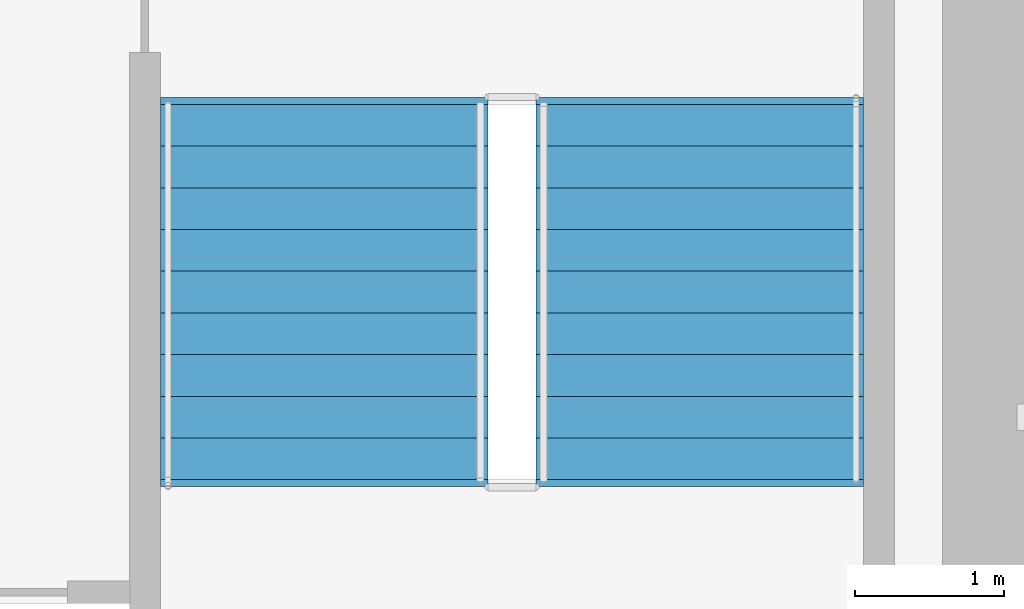
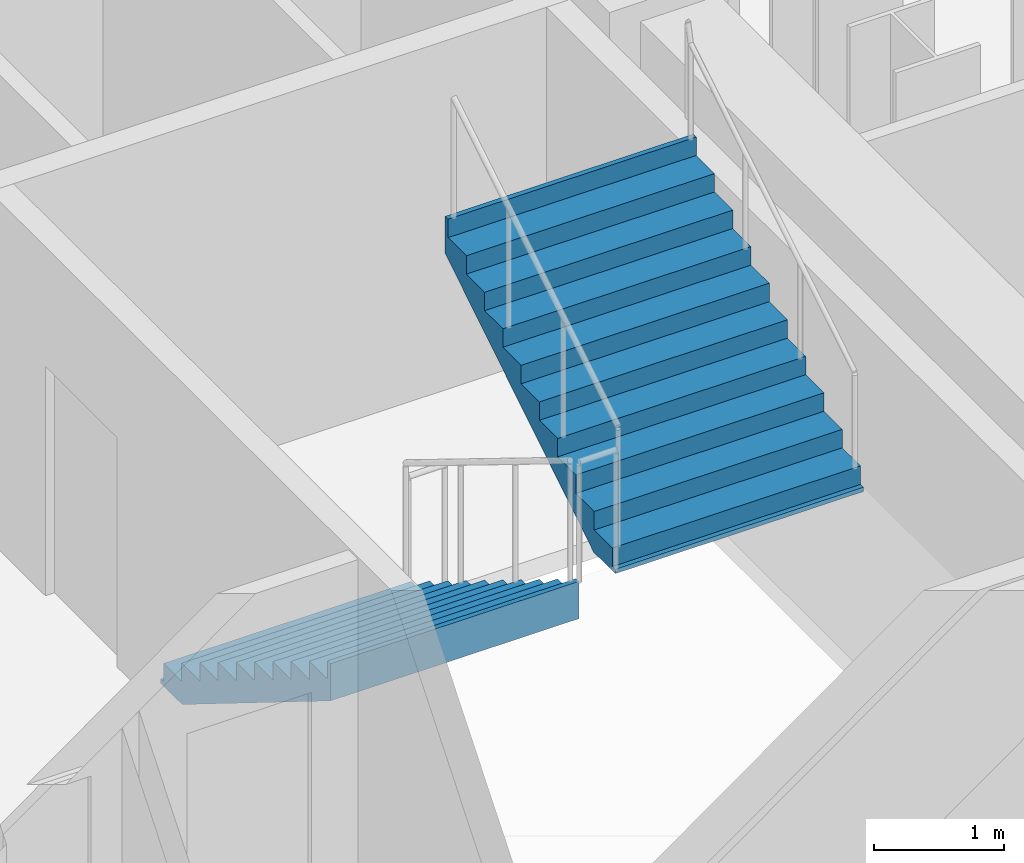
# One storey, part 9 of 11: 2 stair flights, 1 element without a shape of its own.
"""IFC4 building model written with IfcOpenShell, lengths in metres."""

from ifc_helpers import new_model, si_unit, direction, frame, origin, place, context, subcontext, project, spatial, polyline, outline, extrude, material, layer, layer_set, type_object, element, aggregate, save


model = new_model("IFC4")

# Units and contexts
model_context = context("Model", 3, precision=1e-05, world=origin(), true_north=direction((0.0, 1.0)))
body_context = subcontext(model_context, "Body", "Model", "MODEL_VIEW")
ifc_project = project(units=[si_unit("LENGTHUNIT", "METRE"), si_unit("AREAUNIT", "SQUARE_METRE"), si_unit("VOLUMEUNIT", "CUBIC_METRE"), si_unit("PLANEANGLEUNIT", "RADIAN"), si_unit("MASSUNIT", "GRAM", prefix="KILO")], contexts=[model_context])

# Site, building, storey
site_placement = place(None, origin())
site = spatial("IfcSite", under=ifc_project, at=site_placement, CompositionType="ELEMENT")
building_placement = place(site_placement, origin())
building = spatial("IfcBuilding", under=site, at=building_placement, Name="Velakula Bourse", CompositionType="ELEMENT")
storey_placement = place(building_placement, frame((0.0, 0.0, 105.25)))
storey = spatial("IfcBuildingStorey", under=building, at=storey_placement, Name="L28", CompositionType="ELEMENT", Elevation=105.25)

# Stair, stair flights
ifc_material = material(Name="Concrete M45 (fck 45 MPa)", Category="concrete")
stair_type = type_object("IfcStairType", Name="STR-DOG-390", PredefinedType="HALF_TURN_STAIR", material=ifc_material)
stair_placement = place(storey_placement, origin())
stair = element("IfcStair", 1, at=stair_placement, inside=storey, type_object=stair_type, Name="L28 East Core Exit Stair ST-E1", PredefinedType="HALF_TURN_STAIR")
ifc_layer = layer(ifc_material, 0.195068359375, Name="Concrete M45 (fck 45 MPa)", Category="concrete")
ifc_layer_set = layer_set([ifc_layer], Name="Concrete M45 (fck 45 MPa)")
stair_flight_type = type_object("IfcStairFlightType", Name="FLT-DOG-390", PredefinedType="STRAIGHT", material=ifc_layer_set)
stair_flight_1_placement = place(storey_placement, frame((14.198974609375, -2.199951171875, 0.0), z_axis=(0.0, 0.0, 1.0), x_axis=(0.0, -1.0, 0.0)))
stair_flight_1 = element("IfcStairFlight", 2, at=stair_flight_1_placement, type_object=stair_flight_type, Name="ST-E1 flight 1", NumberOfRisers=10, NumberOfTreads=9, PredefinedType="STRAIGHT", RiserHeight=0.1725, TreadLength=0.28, context=body_context, shape_type="SweptSolid", body=[
    extrude(outline(polyline([(-0.044921875, -0.0400390625), (-0.044921875, -0.036865234375), (-0.044921875, -0.033935546875), (-0.044921875, -0.03076171875), (-0.044921875, -0.027587890625), (-0.044921875, -0.024658203125), (-0.044921875, -0.021484375), (-0.044921875, -0.0185546875), (-0.044921875, -0.015380859375), (-0.044921875, -0.01220703125), (-0.044921875, -0.00927734375), (-0.044921875, -0.006103515625), (-0.044921875, -0.003173828125), (-0.044921875, 0.0), (0.0, 0.0), (0.0, 0.172607421875), (0.280029296875, 0.172607421875), (0.280029296875, 0.344970703125), (0.56005859375, 0.344970703125), (0.56005859375, 0.517578125), (0.840087890625, 0.517578125), (0.840087890625, 0.68994140625), (1.1201171875, 0.68994140625), (1.1201171875, 0.862548828125), (1.39990234375, 0.862548828125), (1.39990234375, 1.034912109375), (1.679931640625, 1.034912109375), (1.679931640625, 1.20751953125), (1.9599609375, 1.20751953125), (1.9599609375, 1.3798828125), (2.239990234375, 1.3798828125), (2.239990234375, 1.552490234375), (2.52001953125, 1.552490234375), (2.52001953125, 1.72509765625), (2.56494140625, 1.72509765625), (2.56494140625, 1.7001953125), (2.56494140625, 1.67529296875), (2.56494140625, 1.650390625), (2.56494140625, 1.62548828125), (2.56494140625, 1.6005859375), (2.56494140625, 1.57568359375), (2.56494140625, 1.55078125), (2.56494140625, 1.52587890625), (2.56494140625, 1.5009765625), (2.56494140625, 1.47607421875), (2.56494140625, 1.451171875), (2.56494140625, 1.42626953125), (2.56494140625, 1.4013671875), (2.56494140625, 1.37646484375), (0.285888671875, -0.0400390625), (-0.044921875, -0.0400390625)])), frame((0.0, 1.09912109375, 0.0), z_axis=(0.0, -1.0, 0.0), x_axis=(1.0, 0.0, 0.0)), (0.0, 0.0, 1.0), 2.197998046875),
])
stair_flight_2_placement = place(storey_placement, frame((16.720947265625, -4.719970703125, 1.72509765625), z_axis=(0.0, 0.0, 1.0), x_axis=(0.0, 1.0, 0.0)))
stair_flight_2 = element("IfcStairFlight", 3, at=stair_flight_2_placement, type_object=stair_flight_type, Name="ST-E1 flight 2", NumberOfRisers=10, NumberOfTreads=9, PredefinedType="STRAIGHT", RiserHeight=0.1725, TreadLength=0.28, context=body_context, shape_type="SweptSolid", body=[
    extrude(outline(polyline([(-0.044921875, -0.0400390625), (-0.044921875, -0.036865234375), (-0.044921875, -0.033935546875), (-0.044921875, -0.03076171875), (-0.044921875, -0.027587890625), (-0.044921875, -0.024658203125), (-0.044921875, -0.021484375), (-0.044921875, -0.0185546875), (-0.044921875, -0.015380859375), (-0.044921875, -0.01220703125), (-0.044921875, -0.00927734375), (-0.044921875, -0.006103515625), (-0.044921875, -0.003173828125), (-0.044921875, 0.0), (0.0, 0.0), (0.0, 0.172607421875), (0.280029296875, 0.172607421875), (0.280029296875, 0.344970703125), (0.56005859375, 0.344970703125), (0.56005859375, 0.517578125), (0.840087890625, 0.517578125), (0.840087890625, 0.68994140625), (1.1201171875, 0.68994140625), (1.1201171875, 0.862548828125), (1.39990234375, 0.862548828125), (1.39990234375, 1.034912109375), (1.679931640625, 1.034912109375), (1.679931640625, 1.20751953125), (1.9599609375, 1.20751953125), (1.9599609375, 1.3798828125), (2.239990234375, 1.3798828125), (2.239990234375, 1.552490234375), (2.52001953125, 1.552490234375), (2.52001953125, 1.72509765625), (2.56494140625, 1.72509765625), (2.56494140625, 1.7001953125), (2.56494140625, 1.67529296875), (2.56494140625, 1.650390625), (2.56494140625, 1.62548828125), (2.56494140625, 1.6005859375), (2.56494140625, 1.57568359375), (2.56494140625, 1.55078125), (2.56494140625, 1.52587890625), (2.56494140625, 1.5009765625), (2.56494140625, 1.47607421875), (2.56494140625, 1.451171875), (2.56494140625, 1.42626953125), (2.56494140625, 1.4013671875), (2.56494140625, 1.37646484375), (0.285888671875, -0.0400390625), (-0.044921875, -0.0400390625)])), frame((0.0, 1.09912109375, 0.0), z_axis=(0.0, -1.0, 0.0), x_axis=(1.0, 0.0, 0.0)), (0.0, 0.0, 1.0), 2.197998046875),
])
aggregate(stair, [stair_flight_1, stair_flight_2])

save(model, "model.ifc")
